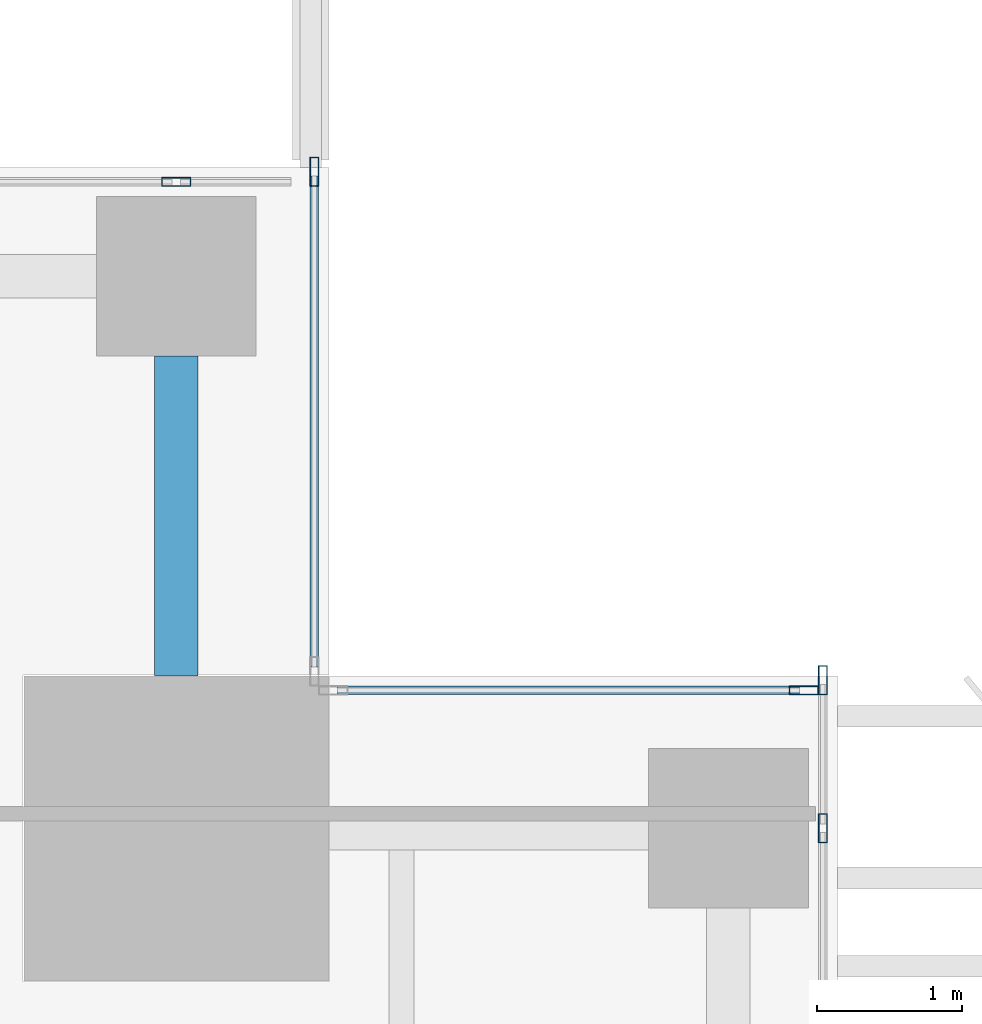
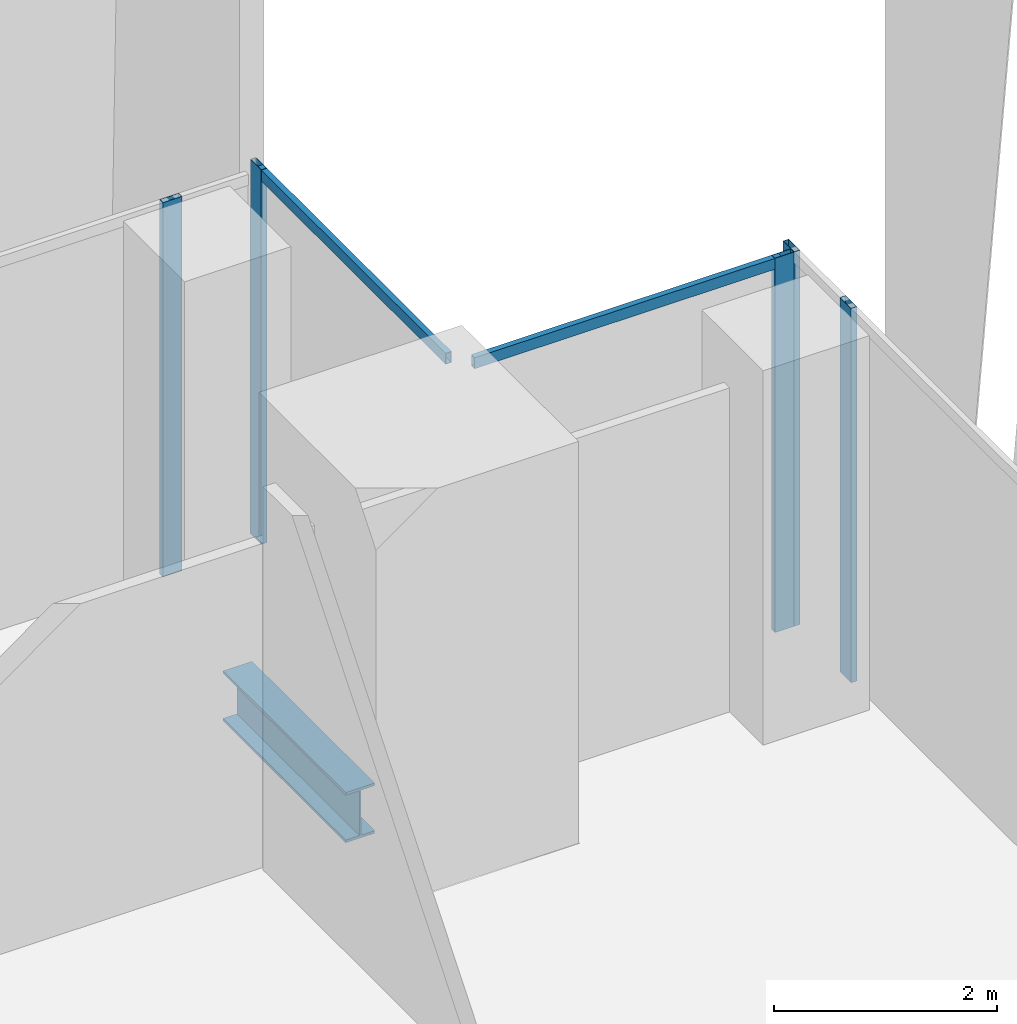
# One storey, part 19 of 34: 7 members, 1 beam, 4 elements without a shape of their own.
"""IFC4 building model written with IfcOpenShell, lengths in metres."""

from ifc_helpers import new_model, si_unit, direction, frame, origin, origin_2d, place, context, subcontext, project, spatial, hollow_rectangle, i_section, extrude, source, transform, mapped, material, material_profile, profile_set, type_object, element, aggregate, save


model = new_model("IFC4")

# Units and contexts
model_context = context("Model", 3, precision=1e-05, world=origin(), true_north=direction((0.0, 1.0)))
body_context = subcontext(model_context, "Body", "Model", "MODEL_VIEW")
ifc_project = project(units=[si_unit("LENGTHUNIT", "METRE"), si_unit("AREAUNIT", "SQUARE_METRE"), si_unit("VOLUMEUNIT", "CUBIC_METRE"), si_unit("PLANEANGLEUNIT", "RADIAN"), si_unit("MASSUNIT", "GRAM", prefix="KILO")], contexts=[model_context])

# Site, building, storey
site_placement = place(None, origin())
site = spatial("IfcSite", under=ifc_project, at=site_placement, CompositionType="ELEMENT")
building_placement = place(site_placement, origin())
building = spatial("IfcBuilding", under=site, at=building_placement, Name="Khomas Fold Tower", CompositionType="ELEMENT")
storey_placement = place(building_placement, frame((0.0, 0.0, 114.699951171875)))
storey = spatial("IfcBuildingStorey", under=building, at=storey_placement, Name="L24", CompositionType="ELEMENT", Elevation=114.699951171875)

# Beam
ifc_material_1 = material(Name="Steel S355", Category="steel")
ifc_material_profile_1 = material_profile(ifc_material_1, i_section(OverallWidth=0.300048828125, OverallDepth=0.550048828125, WebThickness=0.014892578125, FlangeThickness=0.029052734375, at=origin_2d()), Name="HE 550 B")
ifc_profile_set_1 = profile_set([ifc_material_profile_1], Name="Steel S355")
beam_type = type_object("IfcBeamType", Name="HE 550 B spandrel SB2", PredefinedType="SPANDREL", material=ifc_profile_set_1)
shared_shape_1 = source(origin(), body_context, "Body", "SweptSolid", [
    extrude(i_section(OverallWidth=0.300048828125, OverallDepth=0.550048828125, WebThickness=0.014892578125, FlangeThickness=0.029052734375, at=origin_2d()), origin(), (0.0, 0.0, 1.0), 2.199951171875),
])
beam_placement = place(storey_placement, frame((47.949951171875, 49.0, -0.574951171875), z_axis=(0.0, 1.0, 0.0), x_axis=(-1.0, 0.0, 0.0)))
element("IfcBeam", 1, at=beam_placement, inside=storey, type_object=beam_type, Name="SB2", PredefinedType="SPANDREL", context=body_context, shape_type="MappedRepresentation", body=[
    mapped(shared_shape_1, transform((0.0, 0.0, 0.0))),
])

# Curtain wall, members
ifc_material_2 = material(Name="Aluminium framed double glazing", Category="aluminium")
curtain_wall_type = type_object("IfcCurtainWallType", Name="SK-Unitised clear-glass wall, growing floors CW1", PredefinedType="NOTDEFINED", material=ifc_material_2)
curtain_wall_1_placement = place(storey_placement, origin())
curtain_wall_1 = element("IfcCurtainWall", 2, at=curtain_wall_1_placement, inside=storey, type_object=curtain_wall_type, Name="CW1 run L24 03-0", PredefinedType="NOTDEFINED")
ifc_material_3 = material(Name="Aluminium", Category="aluminium")
ifc_material_profile_2 = material_profile(ifc_material_3, hollow_rectangle(XDim=0.06005859375, YDim=0.199951171875, WallThickness=0.00390625, at=origin_2d()), Name="SK-Unitised clear-glass wall, growing floors mullion CW1-M")
ifc_profile_set_2 = profile_set([ifc_material_profile_2], Name="Aluminium")
member_type_1 = type_object("IfcMemberType", Name="SK-Unitised clear-glass wall, growing floors mullion CW1-M", PredefinedType="MULLION", material=ifc_profile_set_2)
shared_shape_2 = source(origin(), body_context, "Body", "SweptSolid", [
    extrude(hollow_rectangle(XDim=0.06005859375, YDim=0.199951171875, WallThickness=0.00390625, at=origin_2d()), origin(), (0.0, 0.0, 1.0), 4.10009765625),
])
member_1_placement = place(storey_placement, frame((52.39990234375, 47.949951171875, 0.0), z_axis=(0.0, 0.0, 1.0), x_axis=(-1.0, 0.0, 0.0)))
member_1 = element("IfcMember", 3, at=member_1_placement, type_object=member_type_1, Name="CW1 mullion 8", PredefinedType="MULLION", context=body_context, shape_type="MappedRepresentation", body=[
    mapped(shared_shape_2, transform((0.0, 0.0, 0.0))),
])
member_2_placement = place(storey_placement, frame((52.39990234375, 48.969970703125, 0.0), z_axis=(0.0, 0.0, 1.0), x_axis=(-1.0, 0.0, 0.0)))
member_2 = element("IfcMember", 4, at=member_2_placement, type_object=member_type_1, Name="CW1 mullion 9", PredefinedType="MULLION", context=body_context, shape_type="MappedRepresentation", body=[
    mapped(shared_shape_2, transform((0.0, 0.0, 0.0))),
])
aggregate(curtain_wall_1, [member_1, member_2])

# Curtain wall, member
curtain_wall_2_placement = place(storey_placement, origin())
curtain_wall_2 = element("IfcCurtainWall", 5, at=curtain_wall_2_placement, inside=storey, type_object=curtain_wall_type, Name="CW1 corner return L24 04", PredefinedType="NOTDEFINED")
member_3_placement = place(storey_placement, frame((52.27001953125, 48.89990234375, 0.0), z_axis=(0.0, 0.0, 1.0), x_axis=(0.0, -1.0, 0.0)))
member_3 = element("IfcMember", 6, at=member_3_placement, type_object=member_type_1, Name="CW1 mullion 1", PredefinedType="MULLION", context=body_context, shape_type="MappedRepresentation", body=[
    mapped(shared_shape_2, transform((0.0, 0.0, 0.0))),
])

curtain_wall_3_placement = place(storey_placement, origin())
curtain_wall_3 = element("IfcCurtainWall", 7, at=curtain_wall_3_placement, inside=storey, type_object=curtain_wall_type, Name="CW1 corner return L24 05", PredefinedType="NOTDEFINED")
member_4_placement = place(storey_placement, frame((48.89990234375, 52.469970703125, 0.0), z_axis=(0.0, 0.0, 1.0), x_axis=(-1.0, 0.0, 0.0)))
member_4 = element("IfcMember", 8, at=member_4_placement, type_object=member_type_1, Name="CW1 mullion 2", PredefinedType="MULLION", context=body_context, shape_type="MappedRepresentation", body=[
    mapped(shared_shape_2, transform((0.0, 0.0, 0.0))),
])

curtain_wall_4_placement = place(storey_placement, origin())
curtain_wall_4 = element("IfcCurtainWall", 9, at=curtain_wall_4_placement, inside=storey, type_object=curtain_wall_type, Name="CW1 run L24 06-0", PredefinedType="NOTDEFINED")
member_5_placement = place(storey_placement, frame((47.949951171875, 52.39990234375, 0.0), z_axis=(0.0, 0.0, 1.0), x_axis=(0.0, -1.0, 0.0)))
member_5 = element("IfcMember", 10, at=member_5_placement, type_object=member_type_1, Name="CW1 mullion 2", PredefinedType="MULLION", context=body_context, shape_type="MappedRepresentation", body=[
    mapped(shared_shape_2, transform((0.0, 0.0, 0.0))),
])
aggregate(curtain_wall_4, [member_5])

# Member
ifc_material_4 = material(Name="Aluminium", Category="aluminium")
ifc_material_profile_3 = material_profile(ifc_material_4, hollow_rectangle(XDim=0.06005859375, YDim=0.1201171875, WallThickness=0.00390625, at=origin_2d()), Name="SK-Unitised clear-glass wall, growing floors transom CW1-T")
ifc_profile_set_3 = profile_set([ifc_material_profile_3], Name="Aluminium")
member_type_2 = type_object("IfcMemberType", Name="SK-Unitised clear-glass wall, growing floors transom CW1-T", PredefinedType="USERDEFINED", material=ifc_profile_set_3)
shared_shape_3 = source(origin(), body_context, "Body", "SweptSolid", [
    extrude(hollow_rectangle(XDim=0.06005859375, YDim=0.1201171875, WallThickness=0.00390625, at=origin_2d()), origin(), (0.0, 0.0, 1.0), 3.179931640625),
])
member_6_placement = place(storey_placement, frame((52.239990234375, 48.89990234375, 4.0400390625), z_axis=(-1.0, 0.0, 0.0), x_axis=(0.0, -1.0, 0.0)))
member_6 = element("IfcMember", 11, at=member_6_placement, type_object=member_type_2, Name="CW1 transom 1", ObjectType="TRANSOM", PredefinedType="USERDEFINED", context=body_context, shape_type="MappedRepresentation", body=[
    mapped(shared_shape_3, transform((0.0, 0.0, 0.0))),
])

aggregate(curtain_wall_2, [member_3, member_6])

shared_shape_4 = source(origin(), body_context, "Body", "SweptSolid", [
    extrude(hollow_rectangle(XDim=0.06005859375, YDim=0.1201171875, WallThickness=0.00390625, at=origin_2d()), origin(), (0.0, 0.0, 1.0), 3.3798828125),
])
member_7_placement = place(storey_placement, frame((48.89990234375, 49.06005859375, 4.0400390625), z_axis=(0.0, 1.0, 0.0), x_axis=(-1.0, 0.0, 0.0)))
member_7 = element("IfcMember", 12, at=member_7_placement, type_object=member_type_2, Name="CW1 transom 1", ObjectType="TRANSOM", PredefinedType="USERDEFINED", context=body_context, shape_type="MappedRepresentation", body=[
    mapped(shared_shape_4, transform((0.0, 0.0, 0.0))),
])

aggregate(curtain_wall_3, [member_4, member_7])

save(model, "model.ifc")
